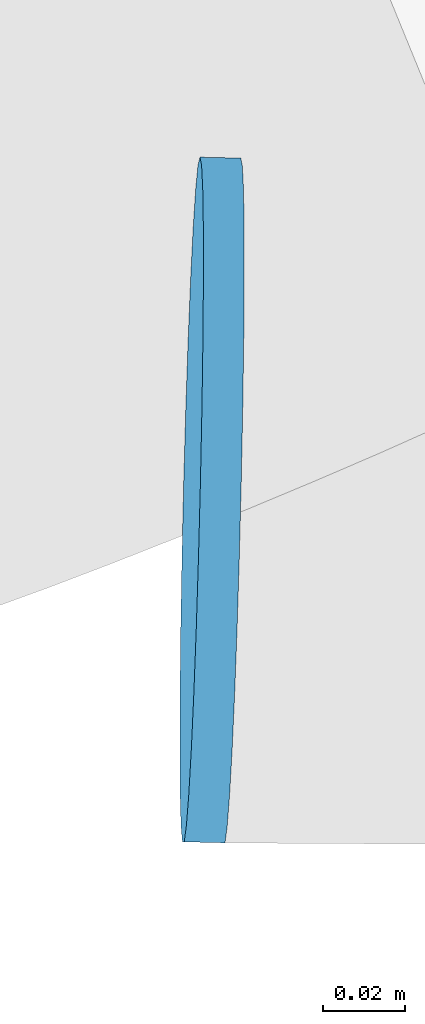
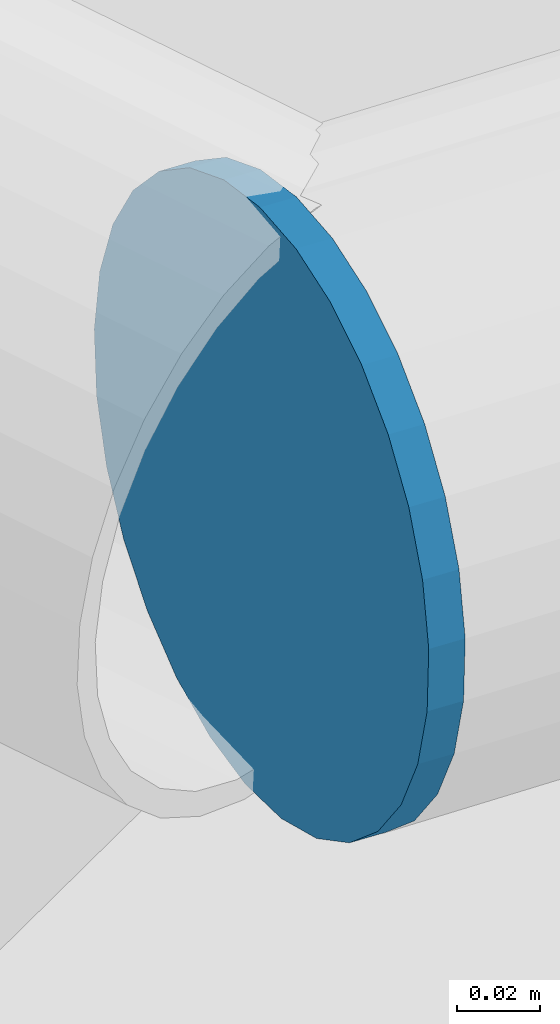
# One storey, part 210 of 226: 1 discrete accessory.
"""IFC4 building model written with IfcOpenShell, lengths in metres."""

from ifc_helpers import new_model, si_unit, direction, frame, origin, origin_2d, place, context, subcontext, project, spatial, circle, extrude, material, material_profile, profile_set, type_object, element, save


model = new_model("IFC4")

# Units and contexts
model_context = context("Model", 3, precision=1e-05, world=origin(), true_north=direction((0.0, 1.0)))
body_context = subcontext(model_context, "Body", "Model", "MODEL_VIEW")
ifc_project = project(units=[si_unit("LENGTHUNIT", "METRE"), si_unit("AREAUNIT", "SQUARE_METRE"), si_unit("VOLUMEUNIT", "CUBIC_METRE"), si_unit("PLANEANGLEUNIT", "RADIAN"), si_unit("MASSUNIT", "GRAM", prefix="KILO")], contexts=[model_context])

# Site, building, storey
site_placement = place(None, origin())
site = spatial("IfcSite", under=ifc_project, at=site_placement, CompositionType="ELEMENT")
building_placement = place(site_placement, origin())
building = spatial("IfcBuilding", under=site, at=building_placement, Name="Ceibo Conservatory and Research Tower", CompositionType="ELEMENT")
storey_placement = place(building_placement, origin())
storey = spatial("IfcBuildingStorey", under=building, at=storey_placement, Name="L00", CompositionType="ELEMENT", Elevation=0.0)

# Discrete accessory
ifc_material = material(Name="Steel S355J2", Category="steel")
ifc_material_profile = material_profile(ifc_material, circle(Radius=0.084228515625, at=origin_2d()), Name="End plate PL D168.3x8")
ifc_profile_set = profile_set([ifc_material_profile], Name="Steel S355J2")
discrete_accessory_type = type_object("IfcDiscreteAccessoryType", Name="End plate PL D168.3x8", PredefinedType="USERDEFINED", material=ifc_profile_set)
discrete_accessory_placement = place(storey_placement, frame((172.27392578125, 68.201904296875, 3.86376953125), z_axis=(0.999405646307, -0.024375747471, -0.024375747471), x_axis=(0.024382992455, 0.999702690643, 0.0)))
element("IfcDiscreteAccessory", 1, at=discrete_accessory_placement, inside=storey, type_object=discrete_accessory_type, Name="Brim tip ring A-TR22 end plate", ObjectType="End plate", PredefinedType="USERDEFINED", context=body_context, shape_type="SweptSolid", body=[
    extrude(circle(Radius=0.084228515625, at=origin_2d()), origin(), (0.0, 0.0, 1.0), 0.010009765625),
])

save(model, "model.ifc")
